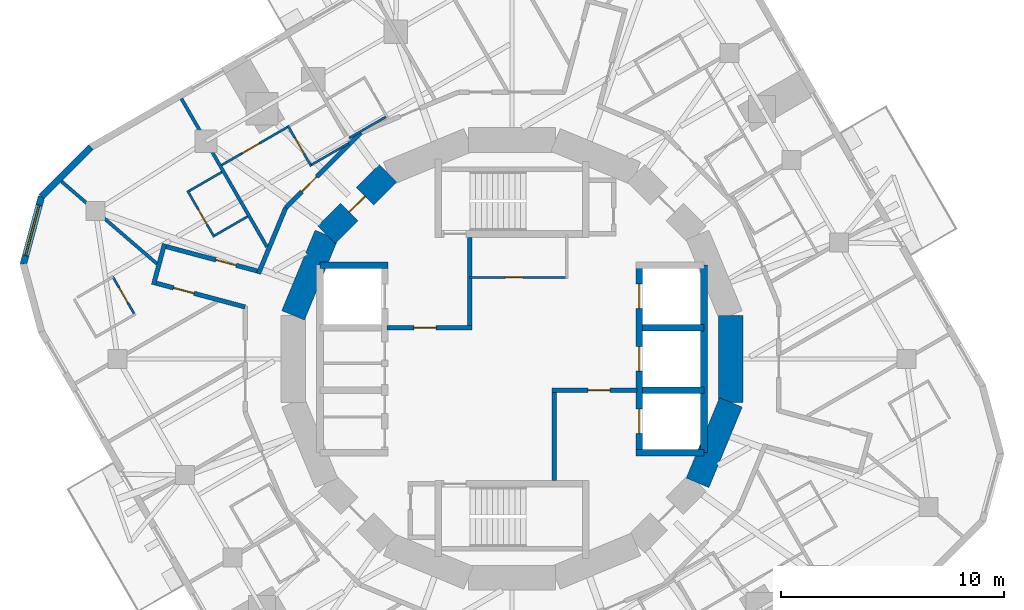
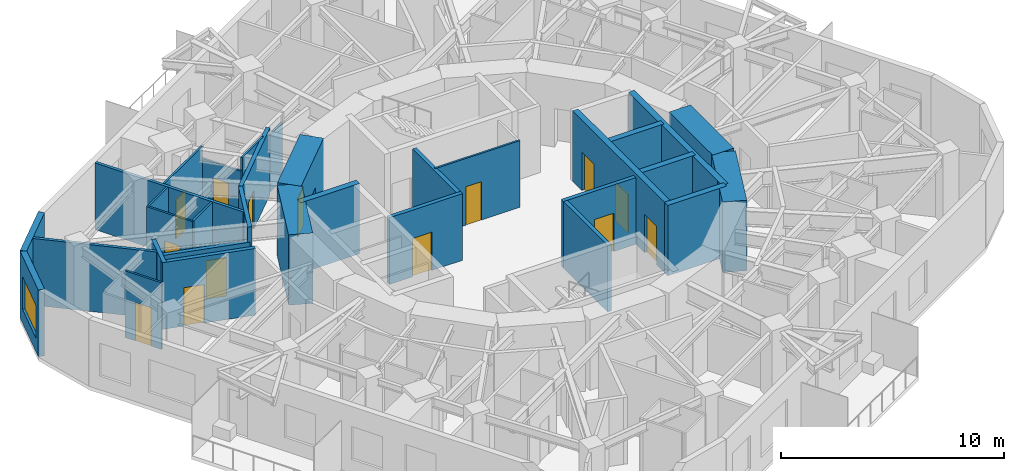
# One storey, part 6 of 11: 32 walls, 14 doors, 1 window, 15 openings.
"""IFC4 building model written with IfcOpenShell, lengths in metres."""

from ifc_helpers import new_model, si_unit, direction, frame, frame_2d, origin, place, context, subcontext, project, spatial, rectangle, extrude, material, layer, layer_set, type_object, element, fill, save


model = new_model("IFC4")

# Units and contexts
model_context = context("Model", 3, precision=1e-05, world=origin(), true_north=direction((0.0, 1.0)))
body_context = subcontext(model_context, "Body", "Model", "MODEL_VIEW")
ifc_project = project(units=[si_unit("LENGTHUNIT", "METRE"), si_unit("AREAUNIT", "SQUARE_METRE"), si_unit("VOLUMEUNIT", "CUBIC_METRE"), si_unit("PLANEANGLEUNIT", "RADIAN"), si_unit("MASSUNIT", "GRAM", prefix="KILO")], contexts=[model_context])

# Site, building, storey
site_placement = place(None, origin())
site = spatial("IfcSite", under=ifc_project, at=site_placement, CompositionType="ELEMENT")
building_placement = place(site_placement, origin())
building = spatial("IfcBuilding", under=site, at=building_placement, Name="Nakasero Lantern House", CompositionType="ELEMENT")
storey_placement = place(building_placement, frame((0.0, 0.0, 230.800048828125)))
storey = spatial("IfcBuildingStorey", under=building, at=storey_placement, Name="L56", CompositionType="ELEMENT", Elevation=230.800048828125)

# Wall, openings, doors
ifc_material_1 = material(Name="Concrete C50/60", Category="concrete")
ifc_layer_1 = layer(ifc_material_1, 0.300048828125)
ifc_layer_set_1 = layer_set([ifc_layer_1], Name="Core inner wall 300")
wall_type_1 = type_object("IfcWallType", Name="Core inner wall 300", PredefinedType="SHEAR", material=ifc_layer_set_1)
wall_1_placement = place(storey_placement, frame((5.699951171875, -4.199951171875, 0.0), z_axis=(0.0, 0.0, 1.0), x_axis=(0.0, 1.0, 0.0)))
wall_1 = element("IfcWall", 1, at=wall_1_placement, inside=storey, type_object=wall_type_1, Name="Core inner wall L56 LE", PredefinedType="SHEAR", context=body_context, shape_type="SweptSolid", body=[
    extrude(rectangle(XDim=8.39990234375, YDim=0.300048828125, at=frame_2d((4.199951171875, 0.0))), origin(), (0.0, 0.0, 1.0), 3.849853515625),
])
opening_1_placement = place(wall_1_placement, frame((0.85009765625, 0.0, 0.0)))
opening_1 = element("IfcOpeningElement", 2, at=opening_1_placement, cuts=wall_1, Name="Opening LD", PredefinedType="OPENING", context=body_context, shape_type="SweptSolid", body=[
    extrude(rectangle(XDim=1.10009765625, YDim=2.10009765625, at=frame_2d((0.550048828125, 1.050048828125))), frame((0.0, 0.169921875, 0.0), z_axis=(0.0, -1.0, 0.0), x_axis=(1.0, 0.0, 0.0)), (0.0, 0.0, 1.0), 0.340087890625),
])
opening_2_placement = place(wall_1_placement, frame((3.64990234375, 0.0, 0.0)))
opening_2 = element("IfcOpeningElement", 3, at=opening_2_placement, cuts=wall_1, Name="Opening LD", PredefinedType="OPENING", context=body_context, shape_type="SweptSolid", body=[
    extrude(rectangle(XDim=1.10009765625, YDim=2.10009765625, at=frame_2d((0.550048828125, 1.050048828125))), frame((0.0, 0.169921875, 0.0), z_axis=(0.0, -1.0, 0.0), x_axis=(1.0, 0.0, 0.0)), (0.0, 0.0, 1.0), 0.340087890625),
])
opening_3_placement = place(wall_1_placement, frame((6.449951171875, 0.0, 0.0)))
opening_3 = element("IfcOpeningElement", 4, at=opening_3_placement, cuts=wall_1, Name="Opening LD", PredefinedType="OPENING", context=body_context, shape_type="SweptSolid", body=[
    extrude(rectangle(XDim=1.10009765625, YDim=2.10009765625, at=frame_2d((0.550048828125, 1.050048828125))), frame((0.0, 0.169921875, 0.0), z_axis=(0.0, -1.0, 0.0), x_axis=(1.0, 0.0, 0.0)), (0.0, 0.0, 1.0), 0.340087890625),
])
ifc_material_2 = material(Name="Steel S355", Category="steel")
door_type_1 = type_object("IfcDoorType", Name="Lift landing door E120 1100", OperationType="SLIDING_TO_LEFT", PredefinedType="DOOR", material=ifc_material_2)
door_1_placement = place(opening_1_placement, origin())
door_1 = element("IfcDoor", 5, at=door_1_placement, inside=storey, type_object=door_type_1, Name="Lift landing door LE1", OperationType="SLIDING_TO_LEFT", OverallHeight=2.10009765625, OverallWidth=1.10009765625, PredefinedType="DOOR", context=body_context, shape_type="SweptSolid", body=[
    extrude(rectangle(XDim=1.10009765625, YDim=2.10009765625, at=frame_2d((0.550048828125, 1.050048828125))), frame((0.0, 0.02490234375, 0.0), z_axis=(0.0, -1.0, 0.0), x_axis=(1.0, 0.0, 0.0)), (0.0, 0.0, 1.0), 0.050048828125),
])
fill(opening_1, door_1)
door_2_placement = place(opening_2_placement, origin())
door_2 = element("IfcDoor", 6, at=door_2_placement, inside=storey, type_object=door_type_1, Name="Lift landing door LE2", OperationType="SLIDING_TO_LEFT", OverallHeight=2.10009765625, OverallWidth=1.10009765625, PredefinedType="DOOR", context=body_context, shape_type="SweptSolid", body=[
    extrude(rectangle(XDim=1.10009765625, YDim=2.10009765625, at=frame_2d((0.550048828125, 1.050048828125))), frame((0.0, 0.02490234375, 0.0), z_axis=(0.0, -1.0, 0.0), x_axis=(1.0, 0.0, 0.0)), (0.0, 0.0, 1.0), 0.050048828125),
])
fill(opening_2, door_2)
door_3_placement = place(opening_3_placement, origin())
door_3 = element("IfcDoor", 7, at=door_3_placement, inside=storey, type_object=door_type_1, Name="Lift landing door LE3", OperationType="SLIDING_TO_LEFT", OverallHeight=2.10009765625, OverallWidth=1.10009765625, PredefinedType="DOOR", context=body_context, shape_type="SweptSolid", body=[
    extrude(rectangle(XDim=1.10009765625, YDim=2.10009765625, at=frame_2d((0.550048828125, 1.050048828125))), frame((0.0, 0.02490234375, 0.0), z_axis=(0.0, -1.0, 0.0), x_axis=(1.0, 0.0, 0.0)), (0.0, 0.0, 1.0), 0.050048828125),
])
fill(opening_3, door_3)

# Walls
for number, where, z_axis, x_axis, name in (
    (8, (-8.60009765625, 4.199951171875, 0.0), (0.0, 0.0, 1.0), (1.0, 0.0, 0.0), "Core inner wall L56 LWN"),
    (9, (5.550048828125, -4.199951171875, 0.0), (0.0, 0.0, 1.0), (1.0, 0.0, 0.0), "Core inner wall L56 LES"),
):
    element("IfcWall", number, at=place(storey_placement, frame(where, z_axis=z_axis, x_axis=x_axis)), inside=storey, type_object=wall_type_1, Name=name, PredefinedType="SHEAR", context=body_context, shape_type="SweptSolid", body=[
        extrude(rectangle(XDim=3.050048828125, YDim=0.300048828125, at=frame_2d((1.52490234375, 0.0))), origin(), (0.0, 0.0, 1.0), 3.849853515625),
    ])
wall_2_placement = place(storey_placement, frame((8.60009765625, -4.199951171875, 0.0), z_axis=(0.0, 0.0, 1.0), x_axis=(0.0, 1.0, 0.0)))
element("IfcWall", 10, at=wall_2_placement, inside=storey, type_object=wall_type_1, Name="Core inner wall L56 LEB", PredefinedType="SHEAR", context=body_context, shape_type="SweptSolid", body=[
    extrude(rectangle(XDim=8.39990234375, YDim=0.300048828125, at=frame_2d((4.199951171875, 0.0))), origin(), (0.0, 0.0, 1.0), 3.849853515625),
])
for number, where, z_axis, x_axis, name in (
    (11, (5.85009765625, -1.39990234375, 0.0), (0.0, 0.0, 1.0), (1.0, 0.0, 0.0), "Core inner wall L56 LE1"),
    (12, (5.85009765625, 1.39990234375, 0.0), (0.0, 0.0, 1.0), (1.0, 0.0, 0.0), "Core inner wall L56 LE2"),
):
    element("IfcWall", number, at=place(storey_placement, frame(where, z_axis=z_axis, x_axis=x_axis)), inside=storey, type_object=wall_type_1, Name=name, PredefinedType="SHEAR", context=body_context, shape_type="SweptSolid", body=[
        extrude(rectangle(XDim=2.75, YDim=0.300048828125, at=frame_2d((1.375, 0.0))), origin(), (0.0, 0.0, 1.0), 3.849853515625),
    ])

# Wall, opening, door
ifc_material_3 = material(Name="Blockwork", Category="masonry")
ifc_layer_2 = layer(ifc_material_3, 0.10009765625)
ifc_layer_set_2 = layer_set([ifc_layer_2], Name="Core room wall 100")
wall_type_2 = type_object("IfcWallType", Name="Core room wall 100", PredefinedType="PARTITIONING", material=ifc_layer_set_2)
wall_3_placement = place(storey_placement, frame((-1.89990234375, 3.64990234375, 0.0), z_axis=(0.0, 0.0, 1.0), x_axis=(1.0, 0.0, 0.0)))
wall_3 = element("IfcWall", 13, at=wall_3_placement, inside=storey, type_object=wall_type_2, Name="Core room wall L56 CR-NES", PredefinedType="PARTITIONING", context=body_context, shape_type="SweptSolid", body=[
    extrude(rectangle(XDim=4.39990234375, YDim=0.10009765625, at=frame_2d((2.199951171875, 0.0))), origin(), (0.0, 0.0, 1.0), 3.64990234375),
])
opening_4_placement = place(wall_3_placement, frame((1.60009765625, 0.0, 0.0)))
opening_4 = element("IfcOpeningElement", 14, at=opening_4_placement, cuts=wall_3, Name="Opening D15", PredefinedType="OPENING", context=body_context, shape_type="SweptSolid", body=[
    extrude(rectangle(XDim=0.800048828125, YDim=2.10009765625, at=frame_2d((0.39990234375, 1.050048828125))), frame((0.0, 0.070068359375, 0.0), z_axis=(0.0, -1.0, 0.0), x_axis=(1.0, 0.0, 0.0)), (0.0, 0.0, 1.0), 0.14013671875),
])
ifc_material_4 = material(Name="Timber C24", Category="wood")
door_type_2 = type_object("IfcDoorType", Name="Cleaner's store door FD30S 800", OperationType="SINGLE_SWING_LEFT", PredefinedType="DOOR", material=ifc_material_4)
door_4_placement = place(opening_4_placement, origin())
door_4 = element("IfcDoor", 15, at=door_4_placement, inside=storey, type_object=door_type_2, Name="Door L56 D-CR-NE", OperationType="SINGLE_SWING_LEFT", OverallHeight=2.10009765625, OverallWidth=0.800048828125, PredefinedType="DOOR", context=body_context, shape_type="SweptSolid", body=[
    extrude(rectangle(XDim=0.800048828125, YDim=2.10009765625, at=frame_2d((0.39990234375, 1.050048828125))), frame((0.0, 0.02490234375, 0.0), z_axis=(0.0, -1.0, 0.0), x_axis=(1.0, 0.0, 0.0)), (0.0, 0.0, 1.0), 0.050048828125),
])
fill(opening_4, door_4)

ifc_material_5 = material(Name="Concrete C50/60", Category="concrete")
ifc_layer_3 = layer(ifc_material_5, 1.10009765625)
ifc_layer_set_3 = layer_set([ifc_layer_3], Name="Core wall 1100")
wall_type_3 = type_object("IfcWallType", Name="Core wall 1100", PredefinedType="SHEAR", material=ifc_layer_set_3)
wall_4_placement = place(storey_placement, frame((-5.5556640625, 8.314697265625, 0.0), z_axis=(0.0, 0.0, 1.0), x_axis=(-0.707106781187, -0.707106781187, 0.0)))
wall_4 = element("IfcWall", 16, at=wall_4_placement, inside=storey, type_object=wall_type_3, Name="Core wall L56 facet 6", PredefinedType="SHEAR", context=body_context, shape_type="SweptSolid", body=[
    extrude(rectangle(XDim=3.90185546875, YDim=1.10009765625, at=frame_2d((1.950927734375, 0.0))), origin(), (0.0, 0.0, 1.0), 3.849853515625),
])
opening_5_placement = place(wall_4_placement, frame((1.450927734375, 0.0, 0.0)))
opening_5 = element("IfcOpeningElement", 17, at=opening_5_placement, cuts=wall_4, Name="Opening D05", PredefinedType="OPENING", context=body_context, shape_type="SweptSolid", body=[
    extrude(rectangle(XDim=1.0, YDim=2.10009765625, at=frame_2d((0.5, 1.050048828125))), frame((0.0, 0.570068359375, 0.0), z_axis=(0.0, -1.0, 0.0), x_axis=(1.0, 0.0, 0.0)), (0.0, 0.0, 1.0), 1.14013671875),
])
ifc_material_6 = material(Name="Timber C24", Category="wood")
door_type_3 = type_object("IfcDoorType", Name="Core door FD60S 1000", OperationType="SINGLE_SWING_LEFT", PredefinedType="DOOR", material=ifc_material_6)
door_5_placement = place(opening_5_placement, origin())
door_5 = element("IfcDoor", 18, at=door_5_placement, inside=storey, type_object=door_type_3, Name="Door L56 D-CORE06", OperationType="SINGLE_SWING_LEFT", OverallHeight=2.10009765625, OverallWidth=1.0, PredefinedType="DOOR", context=body_context, shape_type="SweptSolid", body=[
    extrude(rectangle(XDim=1.0, YDim=2.10009765625, at=frame_2d((0.5, 1.050048828125))), frame((0.0, 0.02490234375, 0.0), z_axis=(0.0, -1.0, 0.0), x_axis=(1.0, 0.0, 0.0)), (0.0, 0.0, 1.0), 0.050048828125),
])
fill(opening_5, door_5)

# Walls
for number, where, z_axis, x_axis, name in (
    (19, (-8.314697265625, 5.5556640625, 0.0), (0.0, 0.0, 1.0), (-0.382690736062, -0.923876507187, 0.0), "Core wall L56 facet 7"),
    (20, (8.314697265625, -5.5556640625, 0.0), (0.0, 0.0, 1.0), (0.382690736062, 0.923876507187, 0.0), "Core wall L56 facet 15"),
    (21, (9.807861328125, -1.950927734375, 0.0), (0.0, 0.0, 1.0), (0.0, 1.0, 0.0), "Core wall L56 facet 16"),
):
    element("IfcWall", number, at=place(storey_placement, frame(where, z_axis=z_axis, x_axis=x_axis)), inside=storey, type_object=wall_type_3, Name=name, PredefinedType="SHEAR", context=body_context, shape_type="SweptSolid", body=[
        extrude(rectangle(XDim=3.90185546875, YDim=1.10009765625, at=frame_2d((1.950927734375, 0.0))), origin(), (0.0, 0.0, 1.0), 3.849853515625),
    ])
ifc_material_7 = material(Name="Blockwork", Category="masonry")
ifc_layer_4 = layer(ifc_material_7, 0.199951171875)
ifc_layer_set_4 = layer_set([ifc_layer_4], Name="Corridor wall 200")
wall_type_4 = type_object("IfcWallType", Name="Corridor wall 200", PredefinedType="PARTITIONING", material=ifc_layer_set_4)
wall_5_placement = place(storey_placement, frame((-11.360595703125, 3.820556640625, 0.0), z_axis=(0.0, 0.0, 1.0), x_axis=(0.382662097458, 0.923888369431, 0.0)))
element("IfcWall", 22, at=wall_5_placement, inside=storey, type_object=wall_type_4, Name="Corridor wall L56 RC09b", PredefinedType="PARTITIONING", context=body_context, shape_type="SweptSolid", body=[
    extrude(rectangle(XDim=3.1962890625, YDim=0.199951171875, at=frame_2d((1.59814453125, 0.0))), origin(), (0.0, 0.0, 1.0), 3.64990234375),
])

# Wall, opening, door
wall_6_placement = place(storey_placement, frame((-10.137451171875, 6.773681640625, 0.0), z_axis=(0.0, 0.0, 1.0), x_axis=(0.707106781187, 0.707106781187, 0.0)))
wall_6 = element("IfcWall", 23, at=wall_6_placement, inside=storey, type_object=wall_type_4, Name="Corridor wall L56 RC10a", PredefinedType="PARTITIONING", context=body_context, shape_type="SweptSolid", body=[
    extrude(rectangle(XDim=4.757080078125, YDim=0.199951171875, at=frame_2d((2.37841796875, 0.0))), origin(), (0.0, 0.0, 1.0), 3.64990234375),
])
opening_6_placement = place(wall_6_placement, frame((1.02001953125, 0.0, 0.0)))
opening_6 = element("IfcOpeningElement", 24, at=opening_6_placement, cuts=wall_6, Name="Opening D01", PredefinedType="OPENING", context=body_context, shape_type="SweptSolid", body=[
    extrude(rectangle(XDim=0.949951171875, YDim=2.10009765625, at=frame_2d((0.47509765625, 1.050048828125))), frame((0.0, 0.119873046875, 0.0), z_axis=(0.0, -1.0, 0.0), x_axis=(1.0, 0.0, 0.0)), (0.0, 0.0, 1.0), 0.239990234375),
])
ifc_material_8 = material(Name="Timber C24", Category="wood")
door_type_4 = type_object("IfcDoorType", Name="Bedroom door FD30S 950", OperationType="SINGLE_SWING_LEFT", PredefinedType="DOOR", material=ifc_material_8)
door_6_placement = place(opening_6_placement, origin())
door_6 = element("IfcDoor", 25, at=door_6_placement, inside=storey, type_object=door_type_4, Name="Door L56 D1-04", OperationType="SINGLE_SWING_LEFT", OverallHeight=2.10009765625, OverallWidth=0.949951171875, PredefinedType="DOOR", context=body_context, shape_type="SweptSolid", body=[
    extrude(rectangle(XDim=0.949951171875, YDim=2.10009765625, at=frame_2d((0.47509765625, 1.050048828125))), frame((0.0, 0.02490234375, 0.0), z_axis=(0.0, -1.0, 0.0), x_axis=(1.0, 0.0, 0.0)), (0.0, 0.0, 1.0), 0.050048828125),
])
fill(opening_6, door_6)

wall_7_placement = place(storey_placement, frame((-11.322021484375, 3.913818359375, 0.0), z_axis=(0.0, 0.0, 1.0), x_axis=(-0.965936973474, 0.258777439659, 0.0)))
wall_7 = element("IfcWall", 26, at=wall_7_placement, inside=storey, type_object=wall_type_4, Name="Corridor wall L56 SP1a", PredefinedType="PARTITIONING", context=body_context, shape_type="SweptSolid", body=[
    extrude(rectangle(XDim=4.524658203125, YDim=0.199951171875, at=frame_2d((2.26220703125, 0.0))), origin(), (0.0, 0.0, 1.0), 2.809326171875),
])
opening_7_placement = place(wall_7_placement, frame((1.070068359375, 0.0, 0.0)))
opening_7 = element("IfcOpeningElement", 27, at=opening_7_placement, cuts=wall_7, Name="Opening D01", PredefinedType="OPENING", context=body_context, shape_type="SweptSolid", body=[
    extrude(rectangle(XDim=0.949951171875, YDim=2.10009765625, at=frame_2d((0.47509765625, 1.050048828125))), frame((0.0, 0.119873046875, 0.0), z_axis=(0.0, -1.0, 0.0), x_axis=(1.0, 0.0, 0.0)), (0.0, 0.0, 1.0), 0.239990234375),
])
door_7_placement = place(opening_7_placement, origin())
door_7 = element("IfcDoor", 28, at=door_7_placement, inside=storey, type_object=door_type_4, Name="Door L56 D1-06", OperationType="SINGLE_SWING_LEFT", OverallHeight=2.10009765625, OverallWidth=0.949951171875, PredefinedType="DOOR", context=body_context, shape_type="SweptSolid", body=[
    extrude(rectangle(XDim=0.949951171875, YDim=2.10009765625, at=frame_2d((0.47509765625, 1.050048828125))), frame((0.0, 0.02490234375, 0.0), z_axis=(0.0, -1.0, 0.0), x_axis=(1.0, 0.0, 0.0)), (0.0, 0.0, 1.0), 0.050048828125),
])
fill(opening_7, door_7)

wall_8_placement = place(storey_placement, frame((-11.957763671875, 2.32421875, 0.0), z_axis=(0.0, 0.0, 1.0), x_axis=(-0.965938975236, 0.258769967576, 0.0)))
wall_8 = element("IfcWall", 29, at=wall_8_placement, inside=storey, type_object=wall_type_4, Name="Corridor wall L56 SP1b", PredefinedType="PARTITIONING", context=body_context, shape_type="SweptSolid", body=[
    extrude(rectangle(XDim=4.322021484375, YDim=0.199951171875, at=frame_2d((2.1611328125, 0.0))), origin(), (0.0, 0.0, 1.0), 3.64990234375),
])
opening_8_placement = place(wall_8_placement, frame((2.3701171875, 0.0, 0.0)))
opening_8 = element("IfcOpeningElement", 30, at=opening_8_placement, cuts=wall_8, Name="Opening D01", PredefinedType="OPENING", context=body_context, shape_type="SweptSolid", body=[
    extrude(rectangle(XDim=0.949951171875, YDim=2.10009765625, at=frame_2d((0.47509765625, 1.050048828125))), frame((0.0, 0.119873046875, 0.0), z_axis=(0.0, -1.0, 0.0), x_axis=(1.0, 0.0, 0.0)), (0.0, 0.0, 1.0), 0.239990234375),
])
door_8_placement = place(opening_8_placement, origin())
door_8 = element("IfcDoor", 31, at=door_8_placement, inside=storey, type_object=door_type_4, Name="Door L56 D2-00", OperationType="SINGLE_SWING_RIGHT", OverallHeight=2.10009765625, OverallWidth=0.949951171875, PredefinedType="DOOR", context=body_context, shape_type="SweptSolid", body=[
    extrude(rectangle(XDim=0.949951171875, YDim=2.10009765625, at=frame_2d((0.47509765625, 1.050048828125))), frame((0.0, 0.02490234375, 0.0), z_axis=(0.0, -1.0, 0.0), x_axis=(1.0, 0.0, 0.0)), (0.0, 0.0, 1.0), 0.050048828125),
])
fill(opening_8, door_8)

# Walls
wall_9_placement = place(storey_placement, frame((-15.570068359375, 5.155517578125, 0.0), z_axis=(0.0, 0.0, 1.0), x_axis=(-0.258798174346, -0.96593141835, 0.0)))
element("IfcWall", 32, at=wall_9_placement, inside=storey, type_object=wall_type_4, Name="Corridor wall L56 SP1e", PredefinedType="PARTITIONING", context=body_context, shape_type="SweptSolid", body=[
    extrude(rectangle(XDim=1.89990234375, YDim=0.199951171875, at=frame_2d((0.949951171875, 0.0))), origin(), (0.0, 0.0, 1.0), 3.64990234375),
])
ifc_material_9 = material(Name="Blockwork", Category="masonry")
ifc_layer_5 = layer(ifc_material_9, 0.10009765625)
ifc_layer_set_5 = layer_set([ifc_layer_5], Name="En-suite wall 100")
wall_type_5 = type_object("IfcWallType", Name="En-suite wall 100", PredefinedType="PARTITIONING", material=ifc_layer_set_5)
wall_10_placement = place(storey_placement, frame((-5.655029296875, 10.843017578125, 0.0), z_axis=(0.0, 0.0, 1.0), x_axis=(-0.866044365799, -0.499967155389, 0.0)))
element("IfcWall", 33, at=wall_10_placement, inside=storey, type_object=wall_type_5, Name="En-suite wall L56 EI1-03", PredefinedType="PARTITIONING", context=body_context, shape_type="SweptSolid", body=[
    extrude(rectangle(XDim=1.900146484375, YDim=0.10009765625, at=frame_2d((0.9501953125, 0.0))), origin(), (0.0, 0.0, 1.0), 3.11328125),
])

# Wall, opening, door
wall_11_placement = place(storey_placement, frame((-8.997314453125, 8.632080078125, 0.0), z_axis=(0.0, 0.0, 1.0), x_axis=(-0.499977374825, 0.866038466041, 0.0)))
wall_11 = element("IfcWall", 34, at=wall_11_placement, inside=storey, type_object=wall_type_5, Name="En-suite wall L56 ES1-04", PredefinedType="PARTITIONING", context=body_context, shape_type="SweptSolid", body=[
    extrude(rectangle(XDim=2.10009765625, YDim=0.10009765625, at=frame_2d((1.050048828125, 0.0))), origin(), (0.0, 0.0, 1.0), 2.966552734375),
])
opening_9_placement = place(wall_11_placement, frame((0.64990234375, 0.0, 0.0)))
opening_9 = element("IfcOpeningElement", 35, at=opening_9_placement, cuts=wall_11, Name="Opening D02", PredefinedType="OPENING", context=body_context, shape_type="SweptSolid", body=[
    extrude(rectangle(XDim=0.800048828125, YDim=2.10009765625, at=frame_2d((0.39990234375, 1.050048828125))), frame((0.0, 0.070068359375, 0.0), z_axis=(0.0, -1.0, 0.0), x_axis=(1.0, 0.0, 0.0)), (0.0, 0.0, 1.0), 0.14013671875),
])
ifc_material_10 = material(Name="Timber C24", Category="wood")
door_type_5 = type_object("IfcDoorType", Name="En-suite door 800", OperationType="SINGLE_SWING_RIGHT", PredefinedType="DOOR", material=ifc_material_10)
door_9_placement = place(opening_9_placement, origin())
door_9 = element("IfcDoor", 36, at=door_9_placement, inside=storey, type_object=door_type_5, Name="Door L56 DE1-04", OperationType="SINGLE_SWING_RIGHT", OverallHeight=2.10009765625, OverallWidth=0.800048828125, PredefinedType="DOOR", context=body_context, shape_type="SweptSolid", body=[
    extrude(rectangle(XDim=0.800048828125, YDim=2.10009765625, at=frame_2d((0.39990234375, 1.050048828125))), frame((0.0, 0.02490234375, 0.0), z_axis=(0.0, -1.0, 0.0), x_axis=(1.0, 0.0, 0.0)), (0.0, 0.0, 1.0), 0.050048828125),
])
fill(opening_9, door_9)

# Wall
wall_12_placement = place(storey_placement, frame((-7.333740234375, 9.650390625, 0.0), z_axis=(0.0, 0.0, 1.0), x_axis=(-0.86601224135, -0.500022797313, 0.0)))
element("IfcWall", 37, at=wall_12_placement, inside=storey, type_object=wall_type_5, Name="En-suite wall L56 EI1-04", PredefinedType="PARTITIONING", context=body_context, shape_type="SweptSolid", body=[
    extrude(rectangle(XDim=1.89990234375, YDim=0.10009765625, at=frame_2d((0.949951171875, 0.0))), origin(), (0.0, 0.0, 1.0), 3.64990234375),
])

# Wall, opening, door
wall_13_placement = place(storey_placement, frame((-13.342041015625, 5.46044921875, 0.0), z_axis=(0.0, 0.0, 1.0), x_axis=(-0.500033551112, 0.866006032174, 0.0)))
wall_13 = element("IfcWall", 38, at=wall_13_placement, inside=storey, type_object=wall_type_5, Name="En-suite wall L56 ES1-06", PredefinedType="PARTITIONING", context=body_context, shape_type="SweptSolid", body=[
    extrude(rectangle(XDim=2.400146484375, YDim=0.10009765625, at=frame_2d((1.2001953125, 0.0))), origin(), (0.0, 0.0, 1.0), 3.64990234375),
])
opening_10_placement = place(wall_13_placement, frame((0.64990234375, 0.0, 0.0)))
opening_10 = element("IfcOpeningElement", 39, at=opening_10_placement, cuts=wall_13, Name="Opening D02", PredefinedType="OPENING", context=body_context, shape_type="SweptSolid", body=[
    extrude(rectangle(XDim=0.800048828125, YDim=2.10009765625, at=frame_2d((0.39990234375, 1.050048828125))), frame((0.0, 0.070068359375, 0.0), z_axis=(0.0, -1.0, 0.0), x_axis=(1.0, 0.0, 0.0)), (0.0, 0.0, 1.0), 0.14013671875),
])
door_10_placement = place(opening_10_placement, origin())
door_10 = element("IfcDoor", 40, at=door_10_placement, inside=storey, type_object=door_type_5, Name="Door L56 DE1-06", OperationType="SINGLE_SWING_LEFT", OverallHeight=2.10009765625, OverallWidth=0.800048828125, PredefinedType="DOOR", context=body_context, shape_type="SweptSolid", body=[
    extrude(rectangle(XDim=0.800048828125, YDim=2.10009765625, at=frame_2d((0.39990234375, 1.050048828125))), frame((0.0, 0.02490234375, 0.0), z_axis=(0.0, -1.0, 0.0), x_axis=(1.0, 0.0, 0.0)), (0.0, 0.0, 1.0), 0.050048828125),
])
fill(opening_10, door_10)

# Walls
for number, where, z_axis, x_axis, name in (
    (41, (-13.001708984375, 8.37060546875, 0.0), (0.0, 0.0, 1.0), (-0.86605165483, -0.499954529098, 0.0), "En-suite wall L56 EE1-06"),
    (42, (-11.8515625, 6.37890625, 0.0), (0.0, 0.0, 1.0), (-0.865989465428, -0.500062241894, 0.0), "En-suite wall L56 EI1-06"),
):
    element("IfcWall", number, at=place(storey_placement, frame(where, z_axis=z_axis, x_axis=x_axis)), inside=storey, type_object=wall_type_5, Name=name, PredefinedType="PARTITIONING", context=body_context, shape_type="SweptSolid", body=[
        extrude(rectangle(XDim=1.699951171875, YDim=0.10009765625, at=frame_2d((0.85009765625, 0.0))), origin(), (0.0, 0.0, 1.0), 3.64990234375),
    ])

# Wall, opening, door
wall_14_placement = place(storey_placement, frame((-17.8837890625, 3.675537109375, 0.0), z_axis=(0.0, 0.0, 1.0), x_axis=(0.499967155389, -0.866044365799, 0.0)))
wall_14 = element("IfcWall", 43, at=wall_14_placement, inside=storey, type_object=wall_type_5, Name="En-suite wall L56 EI2-00", PredefinedType="PARTITIONING", context=body_context, shape_type="SweptSolid", body=[
    extrude(rectangle(XDim=1.900146484375, YDim=0.10009765625, at=frame_2d((0.9501953125, 0.0))), origin(), (0.0, 0.0, 1.0), 3.64990234375),
])
opening_11_placement = place(wall_14_placement, frame((0.550048828125, 0.0, 0.0)))
opening_11 = element("IfcOpeningElement", 44, at=opening_11_placement, cuts=wall_14, Name="Opening D02", PredefinedType="OPENING", context=body_context, shape_type="SweptSolid", body=[
    extrude(rectangle(XDim=0.800048828125, YDim=2.10009765625, at=frame_2d((0.39990234375, 1.050048828125))), frame((0.0, 0.070068359375, 0.0), z_axis=(0.0, -1.0, 0.0), x_axis=(1.0, 0.0, 0.0)), (0.0, 0.0, 1.0), 0.14013671875),
])
door_11_placement = place(opening_11_placement, origin())
door_11 = element("IfcDoor", 45, at=door_11_placement, inside=storey, type_object=door_type_5, Name="Door L56 DE2-00", OperationType="SINGLE_SWING_RIGHT", OverallHeight=2.10009765625, OverallWidth=0.800048828125, PredefinedType="DOOR", context=body_context, shape_type="SweptSolid", body=[
    extrude(rectangle(XDim=0.800048828125, YDim=2.10009765625, at=frame_2d((0.39990234375, 1.050048828125))), frame((0.0, 0.02490234375, 0.0), z_axis=(0.0, -1.0, 0.0), x_axis=(1.0, 0.0, 0.0)), (0.0, 0.0, 1.0), 0.050048828125),
])
fill(opening_11, door_11)

wall_15_placement = place(storey_placement, frame((-10.065673828125, 10.382568359375, 0.0), z_axis=(0.0, 0.0, 1.0), x_axis=(-0.866024081565, -0.500002290144, 0.0)))
wall_15 = element("IfcWall", 46, at=wall_15_placement, inside=storey, type_object=wall_type_5, Name="En-suite wall L56 EL1-04", PredefinedType="PARTITIONING", context=body_context, shape_type="SweptSolid", body=[
    extrude(rectangle(XDim=3.3984375, YDim=0.10009765625, at=frame_2d((1.69921875, 0.0))), origin(), (0.0, 0.0, 1.0), 3.64990234375),
])
opening_12_placement = place(wall_15_placement, frame((1.449951171875, 0.0, 0.0)))
opening_12 = element("IfcOpeningElement", 47, at=opening_12_placement, cuts=wall_15, Name="Opening D17", PredefinedType="OPENING", context=body_context, shape_type="SweptSolid", body=[
    extrude(rectangle(XDim=0.89990234375, YDim=2.10009765625, at=frame_2d((0.449951171875, 1.050048828125))), frame((0.0, 0.070068359375, 0.0), z_axis=(0.0, -1.0, 0.0), x_axis=(1.0, 0.0, 0.0)), (0.0, 0.0, 1.0), 0.14013671875),
])
ifc_material_11 = material(Name="Timber C24", Category="wood")
door_type_6 = type_object("IfcDoorType", Name="Bedroom door FD30S 900", OperationType="SINGLE_SWING_LEFT", PredefinedType="DOOR", material=ifc_material_11)
door_12_placement = place(opening_12_placement, origin())
door_12 = element("IfcDoor", 48, at=door_12_placement, inside=storey, type_object=door_type_6, Name="Door L56 DL1-04", OperationType="SINGLE_SWING_RIGHT", OverallHeight=2.10009765625, OverallWidth=0.89990234375, PredefinedType="DOOR", context=body_context, shape_type="SweptSolid", body=[
    extrude(rectangle(XDim=0.89990234375, YDim=2.10009765625, at=frame_2d((0.449951171875, 1.050048828125))), frame((0.0, 0.02490234375, 0.0), z_axis=(0.0, -1.0, 0.0), x_axis=(1.0, 0.0, 0.0)), (0.0, 0.0, 1.0), 0.050048828125),
])
fill(opening_12, door_12)

# Wall
ifc_material_12 = material(Name="Aluminium rainscreen on blockwork", Category="masonry")
ifc_layer_6 = layer(ifc_material_12, 0.300048828125)
ifc_layer_set_6 = layer_set([ifc_layer_6], Name="Facade wall 300")
wall_type_6 = type_object("IfcWallType", Name="Facade wall 300", PredefinedType="SOLIDWALL", material=ifc_layer_set_6)
wall_16_placement = place(storey_placement, frame((-18.870849609375, 9.4853515625, 0.0), z_axis=(0.0, 0.0, 1.0), x_axis=(-0.707145758492, -0.707067801733, 0.0)))
element("IfcWall", 49, at=wall_16_placement, inside=storey, type_object=wall_type_6, Name="Facade wall L56 FW1C1", PredefinedType="SOLIDWALL", context=body_context, shape_type="SweptSolid", body=[
    extrude(rectangle(XDim=3.1318359375, YDim=0.300048828125, at=frame_2d((1.56591796875, 0.0))), origin(), (0.0, 0.0, 1.0), 3.64990234375),
])

# Wall, opening, window
wall_17_placement = place(storey_placement, frame((-21.08544921875, 7.27099609375, 0.0), z_axis=(0.0, 0.0, 1.0), x_axis=(-0.258807521156, -0.965928914048, 0.0)))
wall_17 = element("IfcWall", 50, at=wall_17_placement, inside=storey, type_object=wall_type_6, Name="Facade wall L56 FW1C2", PredefinedType="SOLIDWALL", context=body_context, shape_type="SweptSolid", body=[
    extrude(rectangle(XDim=3.1318359375, YDim=0.300048828125, at=frame_2d((1.56591796875, 0.0))), origin(), (0.0, 0.0, 1.0), 3.64990234375),
])
opening_13_placement = place(wall_17_placement, frame((0.39990234375, 0.0, 0.75)))
opening_13 = element("IfcOpeningElement", 51, at=opening_13_placement, cuts=wall_17, Name="Opening W223", PredefinedType="OPENING", context=body_context, shape_type="SweptSolid", body=[
    extrude(rectangle(XDim=2.33203125, YDim=1.800048828125, at=frame_2d((1.166015625, 0.89990234375))), frame((0.0, 0.169921875, 0.0), z_axis=(0.0, -1.0, 0.0), x_axis=(1.0, 0.0, 0.0)), (0.0, 0.0, 1.0), 0.340087890625),
])
ifc_material_13 = material(Name="Aluminium 6063-T6 and glass", Category="aluminium")
window_type = type_object("IfcWindowType", Name="Corner window 2332x1800", PartitioningType="SINGLE_PANEL", PredefinedType="WINDOW", material=ifc_material_13)
window_placement = place(opening_13_placement, origin())
window = element("IfcWindow", 52, at=window_placement, inside=storey, type_object=window_type, Name="Window L56 WC1", OverallHeight=1.800048828125, OverallWidth=2.33203125, PartitioningType="SINGLE_PANEL", PredefinedType="WINDOW", context=body_context, shape_type="SweptSolid", body=[
    extrude(rectangle(XDim=2.33203125, YDim=1.800048828125, at=frame_2d((1.166015625, 0.89990234375))), frame((0.0, 0.030029296875, 0.0), z_axis=(0.0, -1.0, 0.0), x_axis=(1.0, 0.0, 0.0)), (0.0, 0.0, 1.0), 0.06005859375),
])
fill(opening_13, window)

# Wall, opening, door
ifc_material_14 = material(Name="Blockwork", Category="masonry")
ifc_layer_7 = layer(ifc_material_14, 0.199951171875)
ifc_layer_set_7 = layer_set([ifc_layer_7], Name="Fire lobby wall 200")
wall_type_7 = type_object("IfcWallType", Name="Fire lobby wall 200", PredefinedType="PARTITIONING", material=ifc_layer_set_7)
wall_18_placement = place(storey_placement, frame((-5.60009765625, 1.39990234375, 0.0), z_axis=(0.0, 0.0, 1.0), x_axis=(1.0, 0.0, 0.0)))
wall_18 = element("IfcWall", 53, at=wall_18_placement, inside=storey, type_object=wall_type_7, Name="Fire lobby wall L56 W-FL1S", PredefinedType="PARTITIONING", context=body_context, shape_type="SweptSolid", body=[
    extrude(rectangle(XDim=3.800048828125, YDim=0.199951171875, at=frame_2d((1.89990234375, 0.0))), origin(), (0.0, 0.0, 1.0), 3.64990234375),
])
opening_14_placement = place(wall_18_placement, frame((1.199951171875, 0.0, 0.0)))
opening_14 = element("IfcOpeningElement", 54, at=opening_14_placement, cuts=wall_18, Name="Opening D05", PredefinedType="OPENING", context=body_context, shape_type="SweptSolid", body=[
    extrude(rectangle(XDim=1.0, YDim=2.10009765625, at=frame_2d((0.5, 1.050048828125))), frame((0.0, 0.119873046875, 0.0), z_axis=(0.0, -1.0, 0.0), x_axis=(1.0, 0.0, 0.0)), (0.0, 0.0, 1.0), 0.239990234375),
])
door_13_placement = place(opening_14_placement, origin())
door_13 = element("IfcDoor", 55, at=door_13_placement, inside=storey, type_object=door_type_3, Name="Door L56 D-FL1", OperationType="SINGLE_SWING_LEFT", OverallHeight=2.10009765625, OverallWidth=1.0, PredefinedType="DOOR", context=body_context, shape_type="SweptSolid", body=[
    extrude(rectangle(XDim=1.0, YDim=2.10009765625, at=frame_2d((0.5, 1.050048828125))), frame((0.0, 0.02490234375, 0.0), z_axis=(0.0, -1.0, 0.0), x_axis=(1.0, 0.0, 0.0)), (0.0, 0.0, 1.0), 0.050048828125),
])
fill(opening_14, door_13)

# Wall
wall_19_placement = place(storey_placement, frame((-1.89990234375, 1.5, 0.0), z_axis=(0.0, 0.0, 1.0), x_axis=(0.0, 1.0, 0.0)))
element("IfcWall", 56, at=wall_19_placement, inside=storey, type_object=wall_type_7, Name="Fire lobby wall L56 W-FL1E", PredefinedType="PARTITIONING", context=body_context, shape_type="SweptSolid", body=[
    extrude(rectangle(XDim=3.949951171875, YDim=0.199951171875, at=frame_2d((1.97509765625, 0.0))), origin(), (0.0, 0.0, 1.0), 3.64990234375),
])

# Wall, opening, door
wall_20_placement = place(storey_placement, frame((5.60009765625, -1.39990234375, 0.0), z_axis=(0.0, 0.0, 1.0), x_axis=(-1.0, 0.0, 0.0)))
wall_20 = element("IfcWall", 57, at=wall_20_placement, inside=storey, type_object=wall_type_7, Name="Fire lobby wall L56 W-FL2N", PredefinedType="PARTITIONING", context=body_context, shape_type="SweptSolid", body=[
    extrude(rectangle(XDim=3.800048828125, YDim=0.199951171875, at=frame_2d((1.89990234375, 0.0))), origin(), (0.0, 0.0, 1.0), 3.64990234375),
])
opening_15_placement = place(wall_20_placement, frame((1.199951171875, 0.0, 0.0)))
opening_15 = element("IfcOpeningElement", 58, at=opening_15_placement, cuts=wall_20, Name="Opening D05", PredefinedType="OPENING", context=body_context, shape_type="SweptSolid", body=[
    extrude(rectangle(XDim=1.0, YDim=2.10009765625, at=frame_2d((0.5, 1.050048828125))), frame((0.0, 0.119873046875, 0.0), z_axis=(0.0, -1.0, 0.0), x_axis=(1.0, 0.0, 0.0)), (0.0, 0.0, 1.0), 0.239990234375),
])
door_14_placement = place(opening_15_placement, origin())
door_14 = element("IfcDoor", 59, at=door_14_placement, inside=storey, type_object=door_type_3, Name="Door L56 D-FL2", OperationType="SINGLE_SWING_LEFT", OverallHeight=2.10009765625, OverallWidth=1.0, PredefinedType="DOOR", context=body_context, shape_type="SweptSolid", body=[
    extrude(rectangle(XDim=1.0, YDim=2.10009765625, at=frame_2d((0.5, 1.050048828125))), frame((0.0, 0.02490234375, 0.0), z_axis=(0.0, -1.0, 0.0), x_axis=(1.0, 0.0, 0.0)), (0.0, 0.0, 1.0), 0.050048828125),
])
fill(opening_15, door_14)

# Walls
wall_21_placement = place(storey_placement, frame((1.89990234375, -1.5, 0.0), z_axis=(0.0, 0.0, 1.0), x_axis=(0.0, -1.0, 0.0)))
element("IfcWall", 60, at=wall_21_placement, inside=storey, type_object=wall_type_7, Name="Fire lobby wall L56 W-FL2W", PredefinedType="PARTITIONING", context=body_context, shape_type="SweptSolid", body=[
    extrude(rectangle(XDim=3.949951171875, YDim=0.199951171875, at=frame_2d((1.97509765625, 0.0))), origin(), (0.0, 0.0, 1.0), 3.64990234375),
])
ifc_material_15 = material(Name="Blockwork", Category="masonry")
ifc_layer_8 = layer(ifc_material_15, 0.14990234375)
ifc_layer_set_8 = layer_set([ifc_layer_8], Name="Party wall 150")
wall_type_8 = type_object("IfcWallType", Name="Party wall 150", PredefinedType="PARTITIONING", material=ifc_layer_set_8)
wall_22_placement = place(storey_placement, frame((-10.9755859375, 5.011474609375, 0.0), z_axis=(0.0, 0.0, 1.0), x_axis=(-0.499985976588, 0.866033500054, 0.0)))
element("IfcWall", 61, at=wall_22_placement, inside=storey, type_object=wall_type_8, Name="Party wall L56 PW1-06", PredefinedType="PARTITIONING", context=body_context, shape_type="SweptSolid", body=[
    extrude(rectangle(XDim=7.672119140625, YDim=0.14990234375, at=frame_2d((3.8359375, 0.0))), origin(), (0.0, 0.0, 1.0), 3.64990234375),
])
wall_23_placement = place(storey_placement, frame((-15.91259765625, 4.263671875, 0.0), z_axis=(0.0, 0.0, 1.0), x_axis=(-0.75716427978, 0.653224504612, 0.0)))
element("IfcWall", 62, at=wall_23_placement, inside=storey, type_object=wall_type_8, Name="Party wall L56 PW2-00", PredefinedType="PARTITIONING", context=body_context, shape_type="SweptSolid", body=[
    extrude(rectangle(XDim=5.644287109375, YDim=0.14990234375, at=frame_2d((2.822265625, 0.0))), origin(), (0.0, 0.0, 1.0), 3.64990234375),
])

save(model, "model.ifc")
